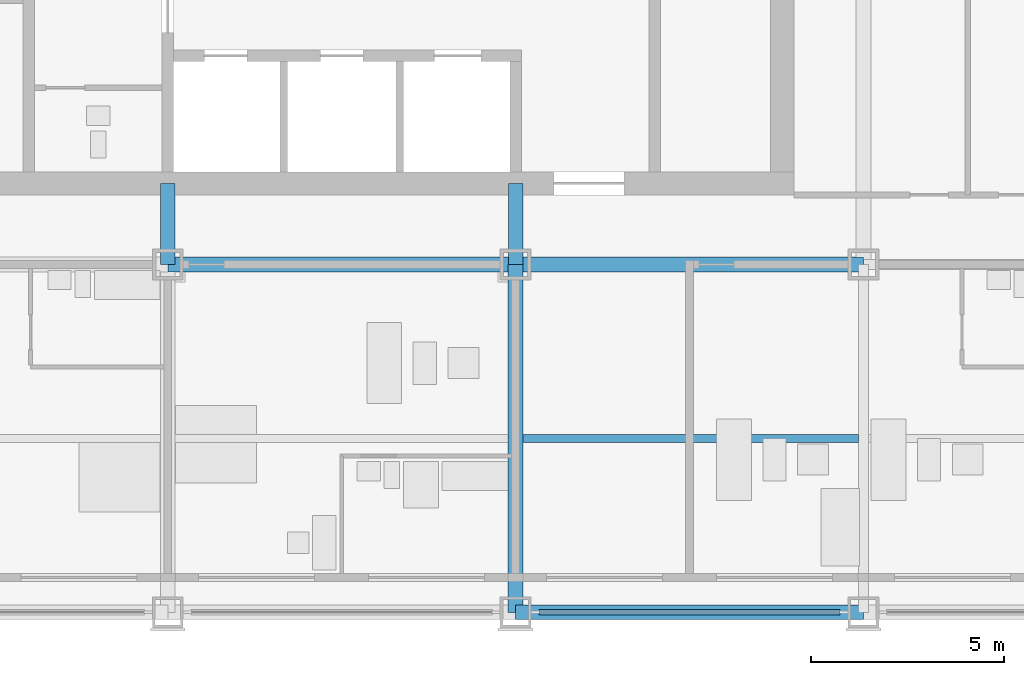
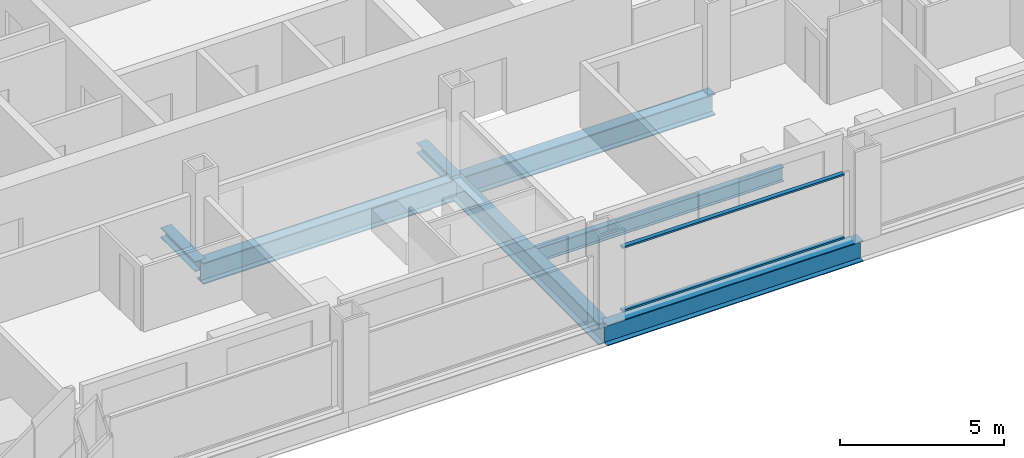
# One storey, part 3 of 18: 5 beams, 4 members, 1 element without a shape of its own.
"""IFC4 building model written with IfcOpenShell, lengths in metres."""

from ifc_helpers import new_model, si_unit, direction, frame, origin, origin_2d, place, context, subcontext, project, spatial, rectangle, i_section, extrude, material, material_profile, profile_set, type_object, element, aggregate, save


model = new_model("IFC4")

# Units and contexts
model_context = context("Model", 3, precision=1e-05, world=origin(), true_north=direction((0.0, 1.0)))
body_context = subcontext(model_context, "Body", "Model", "MODEL_VIEW")
ifc_project = project(units=[si_unit("LENGTHUNIT", "METRE"), si_unit("AREAUNIT", "SQUARE_METRE"), si_unit("VOLUMEUNIT", "CUBIC_METRE"), si_unit("PLANEANGLEUNIT", "RADIAN"), si_unit("MASSUNIT", "GRAM", prefix="KILO")], contexts=[model_context])

# Site, building, storey
site_placement = place(None, origin())
site = spatial("IfcSite", under=ifc_project, at=site_placement, CompositionType="ELEMENT")
building_placement = place(site_placement, origin())
building = spatial("IfcBuilding", under=site, at=building_placement, Name="Loomwork Tower", CompositionType="ELEMENT")
storey_placement = place(building_placement, frame((0.0, 0.0, 75.60009765625)))
storey = spatial("IfcBuildingStorey", under=building, at=storey_placement, Name="L19", CompositionType="ELEMENT", Elevation=75.60009765625)

# Beams
ifc_material_1 = material(Name="Steel ASTM A992", Category="steel")
ifc_material_profile_1 = material_profile(ifc_material_1, i_section(OverallWidth=0.383544921875, OverallDepth=0.794921875, WebThickness=0.02099609375, FlangeThickness=0.0380859375, at=origin_2d()), Name="W30x235")
ifc_profile_set_1 = profile_set([ifc_material_profile_1], Name="Steel ASTM A992")
beam_type_1 = type_object("IfcBeamType", Name="CORE FLANK GIRDER W30x235", PredefinedType="BEAM", material=ifc_profile_set_1)
for number, where, z_axis, x_axis, name in (
    (1, (18.0, 9.0, -0.59765625), (1.0, 0.0, 0.0), (0.0, 1.0, 0.0), "Core Flank Girder E/4-E/5 L19"),
    (2, (27.0, 9.0, -0.59765625), (1.0, 0.0, 0.0), (0.0, 1.0, 0.0), "Core Flank Girder E/5-E/6 L19"),
    (3, (27.0, 0.0, -0.59765625), (0.0, 1.0, 0.0), (-1.0, 0.0, 0.0), "Core Flank Girder D/5-E/5 L19"),
):
    element("IfcBeam", number, at=place(storey_placement, frame(where, z_axis=z_axis, x_axis=x_axis)), inside=storey, type_object=beam_type_1, Name=name, PredefinedType="BEAM", context=body_context, shape_type="SweptSolid", body=[
        extrude(i_section(OverallWidth=0.383544921875, OverallDepth=0.794921875, WebThickness=0.02099609375, FlangeThickness=0.0380859375, at=origin_2d()), origin(), (0.0, 0.0, 1.0), 9.0),
    ])

# Members
ifc_material_2 = material(Name="Steel ASTM A992", Category="steel")
ifc_material_profile_2 = material_profile(ifc_material_2, i_section(OverallWidth=0.373291015625, OverallDepth=0.373291015625, WebThickness=0.016357421875, FlangeThickness=0.026123046875, at=origin_2d()), Name="W14x132")
ifc_profile_set_2 = profile_set([ifc_material_profile_2], Name="Steel ASTM A992")
member_type_1 = type_object("IfcMemberType", Name="CORE LINK STRUT W14x132", PredefinedType="STRUT", material=ifc_profile_set_2)
for number, where, z_axis, x_axis, name in (
    (4, (27.0, 9.0, -0.38671875), (0.0, 1.0, 0.0), (-1.0, 0.0, 0.0), "Core link strut E/5-27.000,11.100 L19"),
    (5, (18.0, 9.0, -0.38671875), (0.0, 1.0, 0.0), (-1.0, 0.0, 0.0), "Core link strut E/4-18.000,11.100 L19"),
):
    element("IfcMember", number, at=place(storey_placement, frame(where, z_axis=z_axis, x_axis=x_axis)), inside=storey, type_object=member_type_1, Name=name, PredefinedType="STRUT", context=body_context, shape_type="SweptSolid", body=[
        extrude(i_section(OverallWidth=0.373291015625, OverallDepth=0.373291015625, WebThickness=0.016357421875, FlangeThickness=0.026123046875, at=origin_2d()), origin(), (0.0, 0.0, 1.0), 2.10009765625),
    ])

# Beam
ifc_material_3 = material(Name="Steel ASTM A992", Category="steel")
ifc_material_profile_3 = material_profile(ifc_material_3, i_section(OverallWidth=0.2109375, OverallDepth=0.53857421875, WebThickness=0.011474609375, FlangeThickness=0.018798828125, at=origin_2d()), Name="W21x73")
ifc_profile_set_3 = profile_set([ifc_material_profile_3], Name="Steel ASTM A992")
beam_type_2 = type_object("IfcBeamType", Name="FLOOR JOIST W21x73", PredefinedType="JOIST", material=ifc_profile_set_3)
beam_1_placement = place(storey_placement, frame((27.19091796875, 4.5, -0.46923828125), z_axis=(1.0, 0.0, 0.0), x_axis=(0.0, 1.0, 0.0)))
element("IfcBeam", 6, at=beam_1_placement, inside=storey, type_object=beam_type_2, Name="Floor Joist 27.000,4.500-36.000,4.500 L19", PredefinedType="JOIST", context=body_context, shape_type="SweptSolid", body=[
    extrude(i_section(OverallWidth=0.2109375, OverallDepth=0.53857421875, WebThickness=0.011474609375, FlangeThickness=0.018798828125, at=origin_2d()), origin(), (0.0, 0.0, 1.0), 8.676025390625),
])

# Curtain wall, members
ifc_material_4 = material(Name="Aluminium curtain wall frame", Category="aluminium")
curtain_wall_type = type_object("IfcCurtainWallType", Name="Outer skin glazing hotel", PredefinedType="NOTDEFINED", material=ifc_material_4)
curtain_wall_placement = place(storey_placement, origin())
curtain_wall = element("IfcCurtainWall", 7, at=curtain_wall_placement, inside=storey, type_object=curtain_wall_type, Name="Outer skin glazing hotel cw/S-27", PredefinedType="NOTDEFINED")
ifc_material_5 = material(Name="Aluminium curtain wall frame", Category="aluminium")
ifc_material_profile_4 = material_profile(ifc_material_5, rectangle(XDim=0.14990234375, YDim=0.06494140625, at=origin_2d()), Name="AL 65x150")
ifc_profile_set_4 = profile_set([ifc_material_profile_4], Name="Aluminium curtain wall frame")
member_type_2 = type_object("IfcMemberType", Name="Outer skin glazing hotel transom", PredefinedType="USERDEFINED", material=ifc_profile_set_4)
member_1_placement = place(storey_placement, frame((27.60009765625, 0.0, 0.032470703125), z_axis=(1.0, 0.0, 0.0), x_axis=(0.0, 1.0, 0.0)))
member_1 = element("IfcMember", 8, at=member_1_placement, type_object=member_type_2, Name="CW1 transom 1.1", ObjectType="TRANSOM", PredefinedType="USERDEFINED", context=body_context, shape_type="SweptSolid", body=[
    extrude(rectangle(XDim=0.14990234375, YDim=0.06494140625, at=origin_2d()), origin(), (0.0, 0.0, 1.0), 7.7998046875),
])
member_2_placement = place(storey_placement, frame((27.60009765625, 0.0, 2.3876953125), z_axis=(1.0, 0.0, 0.0), x_axis=(0.0, 1.0, 0.0)))
member_2 = element("IfcMember", 9, at=member_2_placement, type_object=member_type_2, Name="CW1 transom 1.2", ObjectType="TRANSOM", PredefinedType="USERDEFINED", context=body_context, shape_type="SweptSolid", body=[
    extrude(rectangle(XDim=0.14990234375, YDim=0.06494140625, at=origin_2d()), origin(), (0.0, 0.0, 1.0), 7.7998046875),
])
aggregate(curtain_wall, [member_1, member_2])

# Beam
ifc_material_6 = material(Name="Steel ASTM A992", Category="steel")
ifc_material_profile_5 = material_profile(ifc_material_6, i_section(OverallWidth=0.381103515625, OverallDepth=0.77978515625, WebThickness=0.01806640625, FlangeThickness=0.0302734375, at=origin_2d()), Name="W30x191")
ifc_profile_set_5 = profile_set([ifc_material_profile_5], Name="Steel ASTM A992")
beam_type_3 = type_object("IfcBeamType", Name="SPANDREL GIRDER W30x191", PredefinedType="SPANDREL", material=ifc_profile_set_5)
beam_2_placement = place(storey_placement, frame((27.0, 0.0, -0.590087890625), z_axis=(1.0, 0.0, 0.0), x_axis=(0.0, 1.0, 0.0)))
element("IfcBeam", 10, at=beam_2_placement, inside=storey, type_object=beam_type_3, Name="Spandrel Girder D/5-D/6 L19", PredefinedType="SPANDREL", context=body_context, shape_type="SweptSolid", body=[
    extrude(i_section(OverallWidth=0.381103515625, OverallDepth=0.77978515625, WebThickness=0.01806640625, FlangeThickness=0.0302734375, at=origin_2d()), origin(), (0.0, 0.0, 1.0), 9.0),
])

save(model, "model.ifc")
